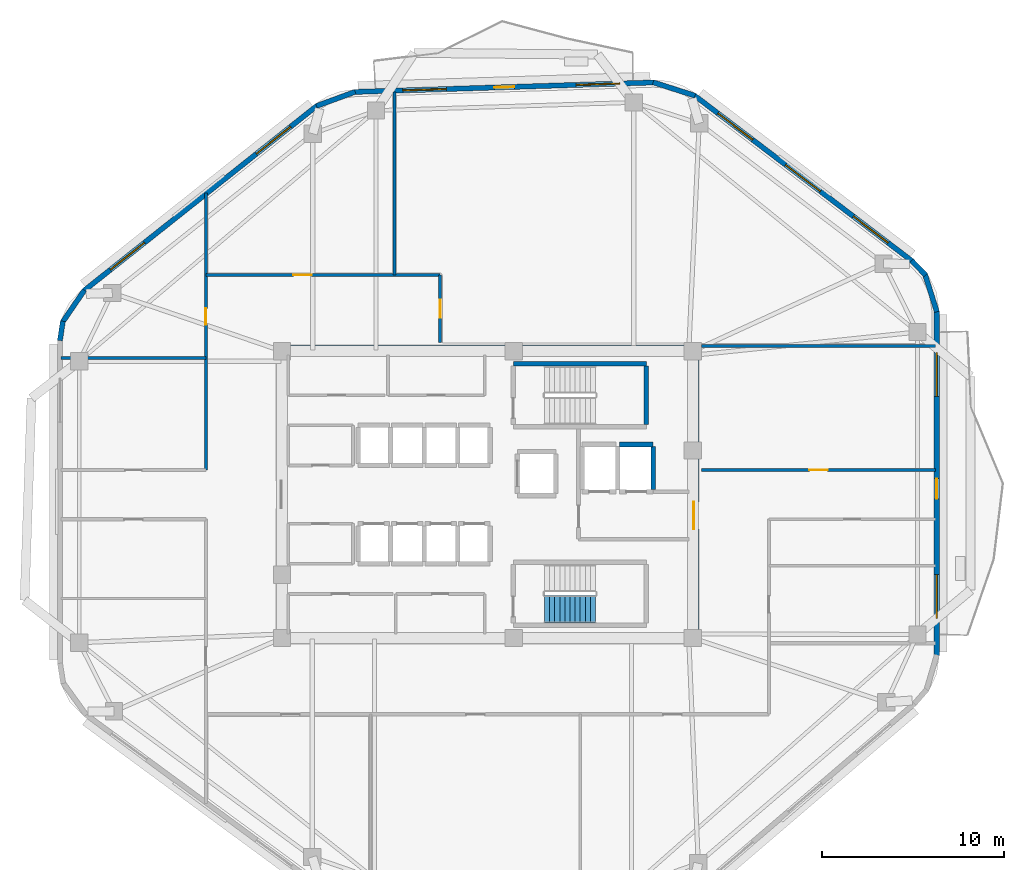
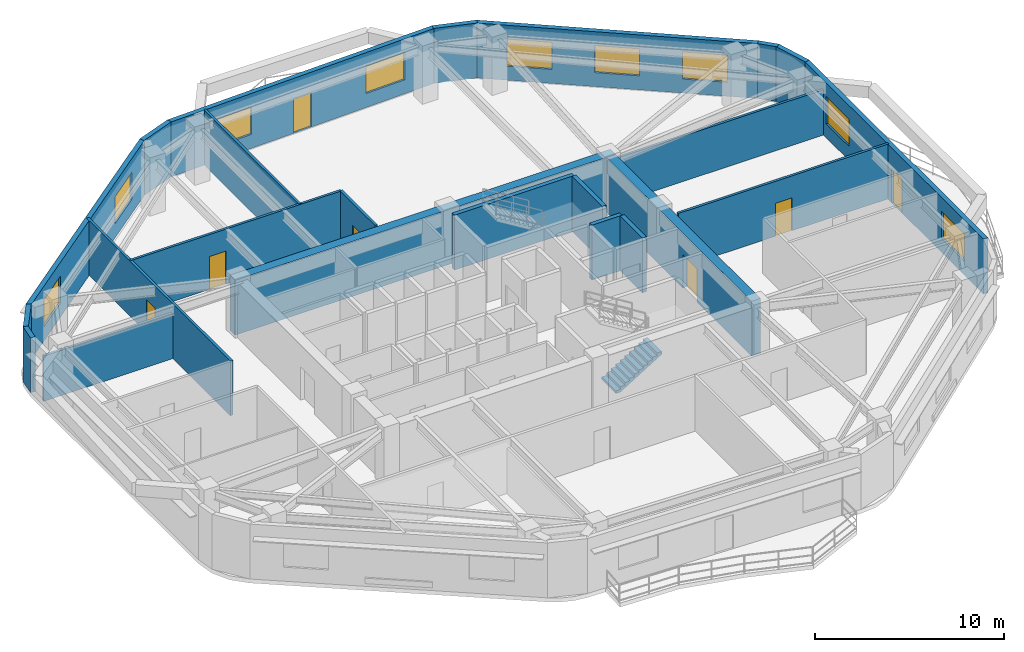
# One storey, part 5 of 8: 23 walls, 9 windows, 7 doors, 1 stair flight, 16 openings, 1 element without a shape of its own.
"""IFC4 building model written with IfcOpenShell, lengths in metres."""

from ifc_helpers import new_model, si_unit, direction, frame, frame_2d, origin, place, context, subcontext, project, spatial, polyline, rectangle, outline, extrude, material, layer, layer_set, type_object, element, fill, aggregate, save


model = new_model("IFC4")

# Units and contexts
model_context = context("Model", 3, precision=1e-05, world=origin(), true_north=direction((0.0, 1.0)))
body_context = subcontext(model_context, "Body", "Model", "MODEL_VIEW")
ifc_project = project(units=[si_unit("LENGTHUNIT", "METRE"), si_unit("AREAUNIT", "SQUARE_METRE"), si_unit("VOLUMEUNIT", "CUBIC_METRE"), si_unit("PLANEANGLEUNIT", "RADIAN"), si_unit("MASSUNIT", "GRAM", prefix="KILO")], contexts=[model_context])

# Site, building, storey
site_placement = place(None, origin())
site = spatial("IfcSite", under=ifc_project, at=site_placement, CompositionType="ELEMENT")
building_placement = place(site_placement, origin())
building = spatial("IfcBuilding", under=site, at=building_placement, Name="Zulverin Broadcast Headquarters", CompositionType="ELEMENT")
storey_placement = place(building_placement, frame((0.0, 0.0, 182.0)))
storey = spatial("IfcBuildingStorey", under=building, at=storey_placement, Name="L46", CompositionType="ELEMENT", Elevation=182.0)

# Wall
ifc_material_1 = material(Name="Concrete C60/75", Category="concrete")
ifc_layer_1 = layer(ifc_material_1, 0.550048828125, Name="Concrete C60/75", Category="concrete")
ifc_layer_set_1 = layer_set([ifc_layer_1], Name="Concrete C60/75")
wall_type_1 = type_object("IfcWallType", Name="WL-CORE-550", PredefinedType="SHEAR", material=ifc_layer_set_1)
wall_1_placement = place(storey_placement, frame((25.39990234375, 33.125, 0.0), z_axis=(0.0, 0.0, 1.0), x_axis=(1.0, 0.0, 0.0)))
element("IfcWall", 1, at=wall_1_placement, inside=storey, type_object=wall_type_1, Name="L46 Core North Shear Wall", PredefinedType="SHEAR", context=body_context, shape_type="SweptSolid", body=[
    extrude(rectangle(XDim=23.2001953125, YDim=0.550048828125, at=frame_2d((11.60009765625, 0.0))), origin(), (0.0, 0.0, 1.0), 3.5400390625),
])

# Wall, opening, door
wall_2_placement = place(storey_placement, frame((48.324951171875, 17.550048828125, 0.0), z_axis=(0.0, 0.0, 1.0), x_axis=(0.0, 1.0, 0.0)))
wall_2 = element("IfcWall", 2, at=wall_2_placement, inside=storey, type_object=wall_type_1, Name="L46 Core East Shear Wall", PredefinedType="SHEAR", context=body_context, shape_type="SweptSolid", body=[
    extrude(rectangle(XDim=15.300048828125, YDim=0.550048828125, at=frame_2d((7.64990234375, 0.0))), origin(), (0.0, 0.0, 1.0), 3.5400390625),
])
opening_1_placement = place(wall_2_placement, frame((5.75, 0.0, 0.0)))
opening_1 = element("IfcOpeningElement", 3, at=opening_1_placement, cuts=wall_2, Name="Opening D-L46-CE1", PredefinedType="OPENING", context=body_context, shape_type="SweptSolid", body=[
    extrude(rectangle(XDim=1.5, YDim=2.14990234375, at=frame_2d((0.75, 1.074951171875))), frame((0.0, 0.284912109375, 0.0), z_axis=(0.0, -1.0, 0.0), x_axis=(1.0, 0.0, 0.0)), (0.0, 0.0, 1.0), 0.570068359375),
])
ifc_material_2 = material(Name="Fire-rated glazed steel frame", Category="steel")
door_type_1 = type_object("IfcDoorType", Name="DR-COR-1500", OperationType="DOUBLE_DOOR_SINGLE_SWING", PredefinedType="DOOR", material=ifc_material_2)
door_1_placement = place(opening_1_placement, origin())
door_1 = element("IfcDoor", 4, at=door_1_placement, inside=storey, type_object=door_type_1, Name="L46 Firefighting Lobby East Corridor Door", OperationType="DOUBLE_DOOR_SINGLE_SWING", OverallHeight=2.14990234375, OverallWidth=1.5, PredefinedType="DOOR", context=body_context, shape_type="SweptSolid", body=[
    extrude(rectangle(XDim=1.5, YDim=2.14990234375, at=frame_2d((0.75, 1.074951171875))), frame((0.0, 0.02490234375, 0.0), z_axis=(0.0, -1.0, 0.0), x_axis=(1.0, 0.0, 0.0)), (0.0, 0.0, 1.0), 0.050048828125),
])
fill(opening_1, door_1)

# Wall, openings, door, windows
ifc_material_3 = material(Name="Insulated pale-metal clad concrete spandrel C40/50", Category="concrete")
ifc_layer_2 = layer(ifc_material_3, 0.280029296875, Name="Insulated pale-metal clad concrete spandrel C40/50", Category="concrete")
ifc_layer_set_2 = layer_set([ifc_layer_2], Name="Insulated pale-metal clad concrete spandrel C40/50")
wall_type_2 = type_object("IfcWallType", Name="WL-EXT-280", PredefinedType="STANDARD", material=ifc_layer_set_2)
wall_3_placement = place(storey_placement, frame((61.659912109375, 16.369384765625, 0.0), z_axis=(0.0, 0.0, 1.0), x_axis=(0.0, 1.0, 0.0)))
wall_3 = element("IfcWall", 5, at=wall_3_placement, inside=storey, type_object=wall_type_2, Name="L46 Pale-Metal Clad Spandrel Wall 3", PredefinedType="STANDARD", context=body_context, shape_type="SweptSolid", body=[
    extrude(rectangle(XDim=18.902099609375, YDim=0.280029296875, at=frame_2d((9.451171875, 0.0))), origin(), (0.0, 0.0, 1.0), 3.5400390625),
])
opening_2_placement = place(wall_3_placement, frame((8.60107421875, 0.0, 0.0)))
opening_2 = element("IfcOpeningElement", 6, at=opening_2_placement, cuts=wall_3, Name="Opening D-L46-TR3", PredefinedType="OPENING", context=body_context, shape_type="SweptSolid", body=[
    extrude(rectangle(XDim=1.10009765625, YDim=2.199951171875, at=frame_2d((0.550048828125, 1.10009765625))), frame((0.0, 0.14990234375, 0.0), z_axis=(0.0, -1.0, 0.0), x_axis=(1.0, 0.0, 0.0)), (0.0, 0.0, 1.0), 0.300048828125),
])
opening_3_placement = place(wall_3_placement, frame((2.03369140625, 0.0, 0.89990234375)))
opening_3 = element("IfcOpeningElement", 7, at=opening_3_placement, cuts=wall_3, Name="Opening W-L46-E31", PredefinedType="OPENING", context=body_context, shape_type="SweptSolid", body=[
    extrude(rectangle(XDim=2.39990234375, YDim=1.75, at=frame_2d((1.199951171875, 0.875))), frame((0.0, 0.14990234375, 0.0), z_axis=(0.0, -1.0, 0.0), x_axis=(1.0, 0.0, 0.0)), (0.0, 0.0, 1.0), 0.300048828125),
])
opening_4_placement = place(wall_3_placement, frame((14.218505859375, 0.0, 0.89990234375)))
opening_4 = element("IfcOpeningElement", 8, at=opening_4_placement, cuts=wall_3, Name="Opening W-L46-E32", PredefinedType="OPENING", context=body_context, shape_type="SweptSolid", body=[
    extrude(rectangle(XDim=2.39990234375, YDim=1.75, at=frame_2d((1.199951171875, 0.875))), frame((0.0, 0.14990234375, 0.0), z_axis=(0.0, -1.0, 0.0), x_axis=(1.0, 0.0, 0.0)), (0.0, 0.0, 1.0), 0.300048828125),
])
ifc_material_4 = material(Name="Thermally broken aluminium glazed", Category="aluminium")
door_type_2 = type_object("IfcDoorType", Name="DR-TERR-1100", OperationType="SINGLE_SWING_RIGHT", PredefinedType="DOOR", material=ifc_material_4)
door_2_placement = place(opening_2_placement, origin())
door_2 = element("IfcDoor", 9, at=door_2_placement, inside=storey, type_object=door_type_2, Name="L46 Planted Terrace Glazed Access Door 3", OperationType="SINGLE_SWING_RIGHT", OverallHeight=2.199951171875, OverallWidth=1.10009765625, PredefinedType="DOOR", context=body_context, shape_type="SweptSolid", body=[
    extrude(rectangle(XDim=1.10009765625, YDim=2.199951171875, at=frame_2d((0.550048828125, 1.10009765625))), frame((0.0, 0.02490234375, 0.0), z_axis=(0.0, -1.0, 0.0), x_axis=(1.0, 0.0, 0.0)), (0.0, 0.0, 1.0), 0.050048828125),
])
fill(opening_2, door_2)
ifc_material_5 = material(Name="Pale anodized aluminium frame with solar-control low-E double glazing", Category="aluminium")
window_type = type_object("IfcWindowType", Name="WIN-RIB-2400", PartitioningType="SINGLE_PANEL", PredefinedType="WINDOW", material=ifc_material_5)
window_1_placement = place(opening_3_placement, origin())
window_1 = element("IfcWindow", 10, at=window_1_placement, inside=storey, type_object=window_type, Name="L46 Ribbon Glazing Window 3 1", OverallHeight=1.75, OverallWidth=2.39990234375, PartitioningType="SINGLE_PANEL", PredefinedType="WINDOW", context=body_context, shape_type="SweptSolid", body=[
    extrude(rectangle(XDim=2.39990234375, YDim=1.75, at=frame_2d((1.199951171875, 0.875))), frame((0.0, 0.030029296875, 0.0), z_axis=(0.0, -1.0, 0.0), x_axis=(1.0, 0.0, 0.0)), (0.0, 0.0, 1.0), 0.06005859375),
])
fill(opening_3, window_1)
window_2_placement = place(opening_4_placement, origin())
window_2 = element("IfcWindow", 11, at=window_2_placement, inside=storey, type_object=window_type, Name="L46 Ribbon Glazing Window 3 2", OverallHeight=1.75, OverallWidth=2.39990234375, PartitioningType="SINGLE_PANEL", PredefinedType="WINDOW", context=body_context, shape_type="SweptSolid", body=[
    extrude(rectangle(XDim=2.39990234375, YDim=1.75, at=frame_2d((1.199951171875, 0.875))), frame((0.0, 0.030029296875, 0.0), z_axis=(0.0, -1.0, 0.0), x_axis=(1.0, 0.0, 0.0)), (0.0, 0.0, 1.0), 0.06005859375),
])
fill(opening_4, window_2)

# Wall, openings, windows
wall_4_placement = place(storey_placement, frame((60.294921875, 38.025146484375, 0.0), z_axis=(0.0, 0.0, 1.0), x_axis=(-0.795831760834, 0.605517801925, 0.0)))
wall_4 = element("IfcWall", 12, at=wall_4_placement, inside=storey, type_object=wall_type_2, Name="L46 Pale-Metal Clad Spandrel Wall 4", PredefinedType="STANDARD", context=body_context, shape_type="SweptSolid", body=[
    extrude(rectangle(XDim=15.01171875, YDim=0.280029296875, at=frame_2d((7.505859375, 0.0))), origin(), (0.0, 0.0, 1.0), 3.5400390625),
])
opening_5_placement = place(wall_4_placement, frame((1.63525390625, 0.0, 0.89990234375)))
opening_5 = element("IfcOpeningElement", 13, at=opening_5_placement, cuts=wall_4, Name="Opening W-L46-E41", PredefinedType="OPENING", context=body_context, shape_type="SweptSolid", body=[
    extrude(rectangle(XDim=2.39990234375, YDim=1.75, at=frame_2d((1.199951171875, 0.875))), frame((0.0, 0.14990234375, 0.0), z_axis=(0.0, -1.0, 0.0), x_axis=(1.0, 0.0, 0.0)), (0.0, 0.0, 1.0), 0.300048828125),
])
opening_6_placement = place(wall_4_placement, frame((6.305908203125, 0.0, 0.89990234375)))
opening_6 = element("IfcOpeningElement", 14, at=opening_6_placement, cuts=wall_4, Name="Opening W-L46-E42", PredefinedType="OPENING", context=body_context, shape_type="SweptSolid", body=[
    extrude(rectangle(XDim=2.39990234375, YDim=1.75, at=frame_2d((1.199951171875, 0.875))), frame((0.0, 0.14990234375, 0.0), z_axis=(0.0, -1.0, 0.0), x_axis=(1.0, 0.0, 0.0)), (0.0, 0.0, 1.0), 0.300048828125),
])
opening_7_placement = place(wall_4_placement, frame((10.9765625, 0.0, 0.89990234375)))
opening_7 = element("IfcOpeningElement", 15, at=opening_7_placement, cuts=wall_4, Name="Opening W-L46-E43", PredefinedType="OPENING", context=body_context, shape_type="SweptSolid", body=[
    extrude(rectangle(XDim=2.39990234375, YDim=1.75, at=frame_2d((1.199951171875, 0.875))), frame((0.0, 0.14990234375, 0.0), z_axis=(0.0, -1.0, 0.0), x_axis=(1.0, 0.0, 0.0)), (0.0, 0.0, 1.0), 0.300048828125),
])
window_3_placement = place(opening_5_placement, origin())
window_3 = element("IfcWindow", 16, at=window_3_placement, inside=storey, type_object=window_type, Name="L46 Ribbon Glazing Window 4 1", OverallHeight=1.75, OverallWidth=2.39990234375, PartitioningType="SINGLE_PANEL", PredefinedType="WINDOW", context=body_context, shape_type="SweptSolid", body=[
    extrude(rectangle(XDim=2.39990234375, YDim=1.75, at=frame_2d((1.199951171875, 0.875))), frame((0.0, 0.030029296875, 0.0), z_axis=(0.0, -1.0, 0.0), x_axis=(1.0, 0.0, 0.0)), (0.0, 0.0, 1.0), 0.06005859375),
])
fill(opening_5, window_3)
window_4_placement = place(opening_6_placement, origin())
window_4 = element("IfcWindow", 17, at=window_4_placement, inside=storey, type_object=window_type, Name="L46 Ribbon Glazing Window 4 2", OverallHeight=1.75, OverallWidth=2.39990234375, PartitioningType="SINGLE_PANEL", PredefinedType="WINDOW", context=body_context, shape_type="SweptSolid", body=[
    extrude(rectangle(XDim=2.39990234375, YDim=1.75, at=frame_2d((1.199951171875, 0.875))), frame((0.0, 0.030029296875, 0.0), z_axis=(0.0, -1.0, 0.0), x_axis=(1.0, 0.0, 0.0)), (0.0, 0.0, 1.0), 0.06005859375),
])
fill(opening_6, window_4)
window_5_placement = place(opening_7_placement, origin())
window_5 = element("IfcWindow", 18, at=window_5_placement, inside=storey, type_object=window_type, Name="L46 Ribbon Glazing Window 4 3", OverallHeight=1.75, OverallWidth=2.39990234375, PartitioningType="SINGLE_PANEL", PredefinedType="WINDOW", context=body_context, shape_type="SweptSolid", body=[
    extrude(rectangle(XDim=2.39990234375, YDim=1.75, at=frame_2d((1.199951171875, 0.875))), frame((0.0, 0.030029296875, 0.0), z_axis=(0.0, -1.0, 0.0), x_axis=(1.0, 0.0, 0.0)), (0.0, 0.0, 1.0), 0.06005859375),
])
fill(opening_7, window_5)

# Wall, openings, door, windows
wall_5_placement = place(storey_placement, frame((46.143310546875, 47.819580078125, 0.0), z_axis=(0.0, 0.0, 1.0), x_axis=(-0.999497065256, -0.031711457627, 0.0)))
wall_5 = element("IfcWall", 19, at=wall_5_placement, inside=storey, type_object=wall_type_2, Name="L46 Pale-Metal Clad Spandrel Wall 5", PredefinedType="STANDARD", context=body_context, shape_type="SweptSolid", body=[
    extrude(rectangle(XDim=16.452392578125, YDim=0.280029296875, at=frame_2d((8.22607421875, 0.0))), origin(), (0.0, 0.0, 1.0), 3.5400390625),
])
opening_8_placement = place(wall_5_placement, frame((7.67626953125, 0.0, 0.0)))
opening_8 = element("IfcOpeningElement", 20, at=opening_8_placement, cuts=wall_5, Name="Opening D-L46-TR5", PredefinedType="OPENING", context=body_context, shape_type="SweptSolid", body=[
    extrude(rectangle(XDim=1.10009765625, YDim=2.199951171875, at=frame_2d((0.550048828125, 1.10009765625))), frame((0.0, 0.14990234375, 0.0), z_axis=(0.0, -1.0, 0.0), x_axis=(1.0, 0.0, 0.0)), (0.0, 0.0, 1.0), 0.300048828125),
])
opening_9_placement = place(wall_5_placement, frame((1.87548828125, 0.0, 0.89990234375)))
opening_9 = element("IfcOpeningElement", 21, at=opening_9_placement, cuts=wall_5, Name="Opening W-L46-E51", PredefinedType="OPENING", context=body_context, shape_type="SweptSolid", body=[
    extrude(rectangle(XDim=2.39990234375, YDim=1.75, at=frame_2d((1.199951171875, 0.875))), frame((0.0, 0.14990234375, 0.0), z_axis=(0.0, -1.0, 0.0), x_axis=(1.0, 0.0, 0.0)), (0.0, 0.0, 1.0), 0.300048828125),
])
opening_10_placement = place(wall_5_placement, frame((11.397216796875, 0.0, 0.89990234375)))
opening_10 = element("IfcOpeningElement", 22, at=opening_10_placement, cuts=wall_5, Name="Opening W-L46-E52", PredefinedType="OPENING", context=body_context, shape_type="SweptSolid", body=[
    extrude(rectangle(XDim=2.39990234375, YDim=1.75, at=frame_2d((1.199951171875, 0.875))), frame((0.0, 0.14990234375, 0.0), z_axis=(0.0, -1.0, 0.0), x_axis=(1.0, 0.0, 0.0)), (0.0, 0.0, 1.0), 0.300048828125),
])
door_3_placement = place(opening_8_placement, origin())
door_3 = element("IfcDoor", 23, at=door_3_placement, inside=storey, type_object=door_type_2, Name="L46 Planted Terrace Glazed Access Door 5", OperationType="SINGLE_SWING_RIGHT", OverallHeight=2.199951171875, OverallWidth=1.10009765625, PredefinedType="DOOR", context=body_context, shape_type="SweptSolid", body=[
    extrude(rectangle(XDim=1.10009765625, YDim=2.199951171875, at=frame_2d((0.550048828125, 1.10009765625))), frame((0.0, 0.02490234375, 0.0), z_axis=(0.0, -1.0, 0.0), x_axis=(1.0, 0.0, 0.0)), (0.0, 0.0, 1.0), 0.050048828125),
])
fill(opening_8, door_3)
window_6_placement = place(opening_9_placement, origin())
window_6 = element("IfcWindow", 24, at=window_6_placement, inside=storey, type_object=window_type, Name="L46 Ribbon Glazing Window 5 1", OverallHeight=1.75, OverallWidth=2.39990234375, PartitioningType="SINGLE_PANEL", PredefinedType="WINDOW", context=body_context, shape_type="SweptSolid", body=[
    extrude(rectangle(XDim=2.39990234375, YDim=1.75, at=frame_2d((1.199951171875, 0.875))), frame((0.0, 0.030029296875, 0.0), z_axis=(0.0, -1.0, 0.0), x_axis=(1.0, 0.0, 0.0)), (0.0, 0.0, 1.0), 0.06005859375),
])
fill(opening_9, window_6)
window_7_placement = place(opening_10_placement, origin())
window_7 = element("IfcWindow", 25, at=window_7_placement, inside=storey, type_object=window_type, Name="L46 Ribbon Glazing Window 5 2", OverallHeight=1.75, OverallWidth=2.39990234375, PartitioningType="SINGLE_PANEL", PredefinedType="WINDOW", context=body_context, shape_type="SweptSolid", body=[
    extrude(rectangle(XDim=2.39990234375, YDim=1.75, at=frame_2d((1.199951171875, 0.875))), frame((0.0, 0.030029296875, 0.0), z_axis=(0.0, -1.0, 0.0), x_axis=(1.0, 0.0, 0.0)), (0.0, 0.0, 1.0), 0.06005859375),
])
fill(opening_10, window_7)

# Wall, openings, windows
wall_6_placement = place(storey_placement, frame((27.657958984375, 46.5498046875, 0.0), z_axis=(0.0, 0.0, 1.0), x_axis=(-0.783266285861, -0.621686356158, 0.0)))
wall_6 = element("IfcWall", 26, at=wall_6_placement, inside=storey, type_object=wall_type_2, Name="L46 Pale-Metal Clad Spandrel Wall 6", PredefinedType="STANDARD", context=body_context, shape_type="SweptSolid", body=[
    extrude(rectangle(XDim=16.35302734375, YDim=0.280029296875, at=frame_2d((8.176513671875, 0.0))), origin(), (0.0, 0.0, 1.0), 3.5400390625),
])
opening_11_placement = place(wall_6_placement, frame((1.85888671875, 0.0, 0.89990234375)))
opening_11 = element("IfcOpeningElement", 27, at=opening_11_placement, cuts=wall_6, Name="Opening W-L46-E61", PredefinedType="OPENING", context=body_context, shape_type="SweptSolid", body=[
    extrude(rectangle(XDim=2.39990234375, YDim=1.75, at=frame_2d((1.199951171875, 0.875))), frame((0.0, 0.14990234375, 0.0), z_axis=(0.0, -1.0, 0.0), x_axis=(1.0, 0.0, 0.0)), (0.0, 0.0, 1.0), 0.300048828125),
])
opening_12_placement = place(wall_6_placement, frame((12.09423828125, 0.0, 0.89990234375)))
opening_12 = element("IfcOpeningElement", 28, at=opening_12_placement, cuts=wall_6, Name="Opening W-L46-E62", PredefinedType="OPENING", context=body_context, shape_type="SweptSolid", body=[
    extrude(rectangle(XDim=2.39990234375, YDim=1.75, at=frame_2d((1.199951171875, 0.875))), frame((0.0, 0.14990234375, 0.0), z_axis=(0.0, -1.0, 0.0), x_axis=(1.0, 0.0, 0.0)), (0.0, 0.0, 1.0), 0.300048828125),
])
window_8_placement = place(opening_11_placement, origin())
window_8 = element("IfcWindow", 29, at=window_8_placement, inside=storey, type_object=window_type, Name="L46 Ribbon Glazing Window 6 1", OverallHeight=1.75, OverallWidth=2.39990234375, PartitioningType="SINGLE_PANEL", PredefinedType="WINDOW", context=body_context, shape_type="SweptSolid", body=[
    extrude(rectangle(XDim=2.39990234375, YDim=1.75, at=frame_2d((1.199951171875, 0.875))), frame((0.0, 0.030029296875, 0.0), z_axis=(0.0, -1.0, 0.0), x_axis=(1.0, 0.0, 0.0)), (0.0, 0.0, 1.0), 0.06005859375),
])
fill(opening_11, window_8)
window_9_placement = place(opening_12_placement, origin())
window_9 = element("IfcWindow", 30, at=window_9_placement, inside=storey, type_object=window_type, Name="L46 Ribbon Glazing Window 6 2", OverallHeight=1.75, OverallWidth=2.39990234375, PartitioningType="SINGLE_PANEL", PredefinedType="WINDOW", context=body_context, shape_type="SweptSolid", body=[
    extrude(rectangle(XDim=2.39990234375, YDim=1.75, at=frame_2d((1.199951171875, 0.875))), frame((0.0, 0.030029296875, 0.0), z_axis=(0.0, -1.0, 0.0), x_axis=(1.0, 0.0, 0.0)), (0.0, 0.0, 1.0), 0.06005859375),
])
fill(opening_12, window_9)

# Walls
wall_7_placement = place(storey_placement, frame((61.66650390625, 35.229248046875, 0.0), z_axis=(0.0, 0.0, 1.0), x_axis=(-0.302044777107, 0.953293738898, 0.0)))
element("IfcWall", 31, at=wall_7_placement, inside=storey, type_object=wall_type_2, Name="L46 Wind-Shaped Corner Spandrel Wall 3-1", PredefinedType="STANDARD", context=body_context, shape_type="SweptSolid", body=[
    extrude(rectangle(XDim=2.17431640625, YDim=0.280029296875, at=frame_2d((1.087158203125, 0.0))), origin(), (0.0, 0.0, 1.0), 3.5400390625),
])
wall_8_placement = place(storey_placement, frame((61.04248046875, 37.247314453125, 0.0), z_axis=(0.0, 0.0, 1.0), x_axis=(-0.694004126367, 0.719971022045, 0.0)))
element("IfcWall", 32, at=wall_8_placement, inside=storey, type_object=wall_type_2, Name="L46 Wind-Shaped Corner Spandrel Wall 3-2", PredefinedType="STANDARD", context=body_context, shape_type="SweptSolid", body=[
    extrude(rectangle(XDim=1.10009765625, YDim=0.280029296875, at=frame_2d((0.550048828125, 0.0))), origin(), (0.0, 0.0, 1.0), 3.5400390625),
])
wall_9_placement = place(storey_placement, frame((48.390380859375, 47.093017578125, 0.0), z_axis=(0.0, 0.0, 1.0), x_axis=(-0.952542948918, 0.304404222156, 0.0)))
element("IfcWall", 33, at=wall_9_placement, inside=storey, type_object=wall_type_2, Name="L46 Wind-Shaped Corner Spandrel Wall 4-1", PredefinedType="STANDARD", context=body_context, shape_type="SweptSolid", body=[
    extrude(rectangle(XDim=2.408447265625, YDim=0.280029296875, at=frame_2d((1.2041015625, 0.0))), origin(), (0.0, 0.0, 1.0), 3.5400390625),
])
wall_10_placement = place(storey_placement, frame((29.742919921875, 47.306396484375, 0.0), z_axis=(0.0, 0.0, 1.0), x_axis=(-0.93893328381, -0.344099242302, 0.0)))
element("IfcWall", 34, at=wall_10_placement, inside=storey, type_object=wall_type_2, Name="L46 Wind-Shaped Corner Spandrel Wall 5-1", PredefinedType="STANDARD", context=body_context, shape_type="SweptSolid", body=[
    extrude(rectangle(XDim=2.261962890625, YDim=0.280029296875, at=frame_2d((1.130859375, 0.0))), origin(), (0.0, 0.0, 1.0), 3.5400390625),
])
wall_11_placement = place(storey_placement, frame((14.877685546875, 36.4140625, 0.0), z_axis=(0.0, 0.0, 1.0), x_axis=(-0.564564614133, -0.825388875906, 0.0)))
element("IfcWall", 35, at=wall_11_placement, inside=storey, type_object=wall_type_2, Name="L46 Wind-Shaped Corner Spandrel Wall 6-1", PredefinedType="STANDARD", context=body_context, shape_type="SweptSolid", body=[
    extrude(rectangle(XDim=2.127685546875, YDim=0.280029296875, at=frame_2d((1.06396484375, 0.0))), origin(), (0.0, 0.0, 1.0), 3.5400390625),
])
wall_12_placement = place(storey_placement, frame((13.69921875, 34.716064453125, 0.0), z_axis=(0.0, 0.0, 1.0), x_axis=(-0.149549920187, -0.988754176412, 0.0)))
element("IfcWall", 36, at=wall_12_placement, inside=storey, type_object=wall_type_2, Name="L46 Wind-Shaped Corner Spandrel Wall 6-2", PredefinedType="STANDARD", context=body_context, shape_type="SweptSolid", body=[
    extrude(rectangle(XDim=1.075927734375, YDim=0.280029296875, at=frame_2d((0.5380859375, 0.0))), origin(), (0.0, 0.0, 1.0), 3.5400390625),
])

# Wall, opening, door
ifc_material_6 = material(Name="Fire-rated gypsum stud partition", Category="gypsum")
ifc_layer_3 = layer(ifc_material_6, 0.14990234375, Name="Fire-rated gypsum stud partition", Category="gypsum")
ifc_layer_set_3 = layer_set([ifc_layer_3], Name="Fire-rated gypsum stud partition")
wall_type_3 = type_object("IfcWallType", Name="WL-PART-150", PredefinedType="PARTITIONING", material=ifc_layer_set_3)
wall_13_placement = place(storey_placement, frame((34.39990234375, 33.5400390625, 0.0), z_axis=(0.0, 0.0, 1.0), x_axis=(0.0, 1.0, 0.0)))
wall_13 = element("IfcWall", 37, at=wall_13_placement, inside=storey, type_object=wall_type_3, Name="L46 Gallery Partition Wall CG-03", PredefinedType="PARTITIONING", context=body_context, shape_type="SweptSolid", body=[
    extrude(rectangle(XDim=3.7099609375, YDim=0.14990234375, at=frame_2d((1.85498046875, 0.0))), origin(), (0.0, 0.0, 1.0), 3.5400390625),
])
opening_13_placement = place(wall_13_placement, frame((1.35498046875, 0.0, 0.0)))
opening_13 = element("IfcOpeningElement", 38, at=opening_13_placement, cuts=wall_13, Name="Opening D-L46-02", PredefinedType="OPENING", context=body_context, shape_type="SweptSolid", body=[
    extrude(rectangle(XDim=1.0, YDim=2.1201171875, at=frame_2d((0.5, 1.06005859375))), frame((0.0, 0.0849609375, 0.0), z_axis=(0.0, -1.0, 0.0), x_axis=(1.0, 0.0, 0.0)), (0.0, 0.0, 1.0), 0.169921875),
])
ifc_material_7 = material(Name="Hardwood veneer acoustic leaf", Category="wood")
door_type_3 = type_object("IfcDoorType", Name="DR-OFF-1000", OperationType="SINGLE_SWING_LEFT", PredefinedType="DOOR", material=ifc_material_7)
door_4_placement = place(opening_13_placement, origin())
door_4 = element("IfcDoor", 39, at=door_4_placement, inside=storey, type_object=door_type_3, Name="L46 News Wire Office Door", OperationType="SINGLE_SWING_RIGHT", OverallHeight=2.1201171875, OverallWidth=1.0, PredefinedType="DOOR", context=body_context, shape_type="SweptSolid", body=[
    extrude(rectangle(XDim=1.0, YDim=2.1201171875, at=frame_2d((0.5, 1.06005859375))), frame((0.0, 0.02490234375, 0.0), z_axis=(0.0, -1.0, 0.0), x_axis=(1.0, 0.0, 0.0)), (0.0, 0.0, 1.0), 0.050048828125),
])
fill(opening_13, door_4)

# Wall
wall_14_placement = place(storey_placement, frame((31.89990234375, 37.25, 0.0), z_axis=(0.0, 0.0, 1.0), x_axis=(0.0, 1.0, 0.0)))
element("IfcWall", 40, at=wall_14_placement, inside=storey, type_object=wall_type_3, Name="L46 Room Partition Wall RP-04", PredefinedType="PARTITIONING", context=body_context, shape_type="SweptSolid", body=[
    extrude(rectangle(XDim=10.052734375, YDim=0.14990234375, at=frame_2d((5.0263671875, 0.0))), origin(), (0.0, 0.0, 1.0), 3.5400390625),
])

# Wall, opening, door
wall_15_placement = place(storey_placement, frame((21.550048828125, 26.550048828125, 0.0), z_axis=(0.0, 0.0, 1.0), x_axis=(0.0, 1.0, 0.0)))
wall_15 = element("IfcWall", 41, at=wall_15_placement, inside=storey, type_object=wall_type_3, Name="L46 Gallery Partition Wall CG-07", PredefinedType="PARTITIONING", context=body_context, shape_type="SweptSolid", body=[
    extrude(rectangle(XDim=15.1904296875, YDim=0.14990234375, at=frame_2d((7.59521484375, 0.0))), origin(), (0.0, 0.0, 1.0), 3.5400390625),
])
opening_14_placement = place(wall_15_placement, frame((7.97509765625, 0.0, 0.0)))
opening_14 = element("IfcOpeningElement", 42, at=opening_14_placement, cuts=wall_15, Name="Opening D-L46-09", PredefinedType="OPENING", context=body_context, shape_type="SweptSolid", body=[
    extrude(rectangle(XDim=0.89990234375, YDim=2.10009765625, at=frame_2d((0.449951171875, 1.050048828125))), frame((0.0, 0.0849609375, 0.0), z_axis=(0.0, -1.0, 0.0), x_axis=(1.0, 0.0, 0.0)), (0.0, 0.0, 1.0), 0.169921875),
])
ifc_material_8 = material(Name="Fire-rated hardwood veneer timber leaf", Category="wood")
door_type_4 = type_object("IfcDoorType", Name="DR-ROOM-900", OperationType="SINGLE_SWING_RIGHT", PredefinedType="DOOR", material=ifc_material_8)
door_5_placement = place(opening_14_placement, origin())
door_5 = element("IfcDoor", 43, at=door_5_placement, inside=storey, type_object=door_type_4, Name="L46 Editorial Coaching Suite Door", OperationType="SINGLE_SWING_LEFT", OverallHeight=2.10009765625, OverallWidth=0.89990234375, PredefinedType="DOOR", context=body_context, shape_type="SweptSolid", body=[
    extrude(rectangle(XDim=0.89990234375, YDim=2.10009765625, at=frame_2d((0.449951171875, 1.050048828125))), frame((0.0, 0.02490234375, 0.0), z_axis=(0.0, -1.0, 0.0), x_axis=(1.0, 0.0, 0.0)), (0.0, 0.0, 1.0), 0.050048828125),
])
fill(opening_14, door_5)

wall_16_placement = place(storey_placement, frame((48.739990234375, 26.550048828125, 0.0), z_axis=(0.0, 0.0, 1.0), x_axis=(1.0, 0.0, 0.0)))
wall_16 = element("IfcWall", 44, at=wall_16_placement, inside=storey, type_object=wall_type_3, Name="L46 Gallery Partition Wall CG-15", PredefinedType="PARTITIONING", context=body_context, shape_type="SweptSolid", body=[
    extrude(rectangle(XDim=12.85498046875, YDim=0.14990234375, at=frame_2d((6.427490234375, 0.0))), origin(), (0.0, 0.0, 1.0), 3.5400390625),
])
opening_15_placement = place(wall_16_placement, frame((5.927490234375, 0.0, 0.0)))
opening_15 = element("IfcOpeningElement", 45, at=opening_15_placement, cuts=wall_16, Name="Opening D-L46-12", PredefinedType="OPENING", context=body_context, shape_type="SweptSolid", body=[
    extrude(rectangle(XDim=1.0, YDim=2.1201171875, at=frame_2d((0.5, 1.06005859375))), frame((0.0, 0.0849609375, 0.0), z_axis=(0.0, -1.0, 0.0), x_axis=(1.0, 0.0, 0.0)), (0.0, 0.0, 1.0), 0.169921875),
])
door_6_placement = place(opening_15_placement, origin())
door_6 = element("IfcDoor", 46, at=door_6_placement, inside=storey, type_object=door_type_3, Name="L46 Regional Languages Office Door", OperationType="SINGLE_SWING_RIGHT", OverallHeight=2.1201171875, OverallWidth=1.0, PredefinedType="DOOR", context=body_context, shape_type="SweptSolid", body=[
    extrude(rectangle(XDim=1.0, YDim=2.1201171875, at=frame_2d((0.5, 1.06005859375))), frame((0.0, 0.02490234375, 0.0), z_axis=(0.0, -1.0, 0.0), x_axis=(1.0, 0.0, 0.0)), (0.0, 0.0, 1.0), 0.050048828125),
])
fill(opening_15, door_6)

# Walls
wall_17_placement = place(storey_placement, frame((13.60498046875, 32.699951171875, 0.0), z_axis=(0.0, 0.0, 1.0), x_axis=(1.0, 0.0, 0.0)))
element("IfcWall", 47, at=wall_17_placement, inside=storey, type_object=wall_type_3, Name="L46 Room Partition Wall RP-16", PredefinedType="PARTITIONING", context=body_context, shape_type="SweptSolid", body=[
    extrude(rectangle(XDim=7.945068359375, YDim=0.14990234375, at=frame_2d((3.97265625, 0.0))), origin(), (0.0, 0.0, 1.0), 2.9228515625),
])
wall_18_placement = place(storey_placement, frame((48.739990234375, 33.35009765625, 0.0), z_axis=(0.0, 0.0, 1.0), x_axis=(1.0, 0.0, 0.0)))
element("IfcWall", 48, at=wall_18_placement, inside=storey, type_object=wall_type_3, Name="L46 Room Partition Wall RP-17", PredefinedType="PARTITIONING", context=body_context, shape_type="SweptSolid", body=[
    extrude(rectangle(XDim=12.85498046875, YDim=0.14990234375, at=frame_2d((6.427490234375, 0.0))), origin(), (0.0, 0.0, 1.0), 2.9228515625),
])

# Wall, opening, door
wall_19_placement = place(storey_placement, frame((21.550048828125, 37.25, 0.0), z_axis=(0.0, 0.0, 1.0), x_axis=(1.0, 0.0, 0.0)))
wall_19 = element("IfcWall", 49, at=wall_19_placement, inside=storey, type_object=wall_type_3, Name="L46 Gallery Partition Wall CG-18", PredefinedType="PARTITIONING", context=body_context, shape_type="SweptSolid", body=[
    extrude(rectangle(XDim=12.849853515625, YDim=0.14990234375, at=frame_2d((6.4248046875, 0.0))), origin(), (0.0, 0.0, 1.0), 3.5400390625),
])
opening_16_placement = place(wall_19_placement, frame((4.794921875, 0.0, 0.0)))
opening_16 = element("IfcOpeningElement", 50, at=opening_16_placement, cuts=wall_19, Name="Opening D-L46-01", PredefinedType="OPENING", context=body_context, shape_type="SweptSolid", body=[
    extrude(rectangle(XDim=1.0, YDim=2.1201171875, at=frame_2d((0.5, 1.06005859375))), frame((0.0, 0.0849609375, 0.0), z_axis=(0.0, -1.0, 0.0), x_axis=(1.0, 0.0, 0.0)), (0.0, 0.0, 1.0), 0.169921875),
])
door_7_placement = place(opening_16_placement, origin())
door_7 = element("IfcDoor", 51, at=door_7_placement, inside=storey, type_object=door_type_3, Name="L46 Regional Languages Office Door", OperationType="SINGLE_SWING_LEFT", OverallHeight=2.1201171875, OverallWidth=1.0, PredefinedType="DOOR", context=body_context, shape_type="SweptSolid", body=[
    extrude(rectangle(XDim=1.0, YDim=2.1201171875, at=frame_2d((0.5, 1.06005859375))), frame((0.0, 0.02490234375, 0.0), z_axis=(0.0, -1.0, 0.0), x_axis=(1.0, 0.0, 0.0)), (0.0, 0.0, 1.0), 0.050048828125),
])
fill(opening_16, door_7)

# Walls
ifc_material_9 = material(Name="Concrete C50/60", Category="concrete")
ifc_layer_4 = layer(ifc_material_9, 0.25, Name="Concrete C50/60", Category="concrete")
ifc_layer_set_4 = layer_set([ifc_layer_4], Name="Concrete C50/60")
wall_type_4 = type_object("IfcWallType", Name="WL-SHAFT-250", PredefinedType="SHEAR", material=ifc_layer_set_4)
wall_20_placement = place(storey_placement, frame((38.425048828125, 32.375, 0.0), z_axis=(0.0, 0.0, 1.0), x_axis=(1.0, 0.0, 0.0)))
element("IfcWall", 52, at=wall_20_placement, inside=storey, type_object=wall_type_4, Name="L46 ST-1 Enclosure Wall N", PredefinedType="SHEAR", context=body_context, shape_type="SweptSolid", body=[
    extrude(rectangle(XDim=7.300048828125, YDim=0.25, at=frame_2d((3.64990234375, 0.0))), origin(), (0.0, 0.0, 1.0), 3.5400390625),
])
wall_21_placement = place(storey_placement, frame((45.72509765625, 29.050048828125, 0.0), z_axis=(0.0, 0.0, 1.0), x_axis=(0.0, 1.0, 0.0)))
element("IfcWall", 53, at=wall_21_placement, inside=storey, type_object=wall_type_4, Name="L46 ST-1 Enclosure Wall E", PredefinedType="SHEAR", context=body_context, shape_type="SweptSolid", body=[
    extrude(rectangle(XDim=3.199951171875, YDim=0.25, at=frame_2d((1.60009765625, 0.0))), origin(), (0.0, 0.0, 1.0), 3.5400390625),
])
wall_22_placement = place(storey_placement, frame((44.25, 27.949951171875, 0.0), z_axis=(0.0, 0.0, 1.0), x_axis=(1.0, 0.0, 0.0)))
element("IfcWall", 54, at=wall_22_placement, inside=storey, type_object=wall_type_4, Name="L46 Lift FFL-2 Shaft Wall N", PredefinedType="SHEAR", context=body_context, shape_type="SweptSolid", body=[
    extrude(rectangle(XDim=1.85009765625, YDim=0.25, at=frame_2d((0.925048828125, 0.0))), origin(), (0.0, 0.0, 1.0), 3.5400390625),
])
wall_23_placement = place(storey_placement, frame((46.10009765625, 25.469970703125, 0.0), z_axis=(0.0, 0.0, 1.0), x_axis=(0.0, 1.0, 0.0)))
element("IfcWall", 55, at=wall_23_placement, inside=storey, type_object=wall_type_4, Name="L46 Lift FFL-2 Shaft Wall E", PredefinedType="SHEAR", context=body_context, shape_type="SweptSolid", body=[
    extrude(rectangle(XDim=2.360107421875, YDim=0.25, at=frame_2d((1.18017578125, 0.0))), origin(), (0.0, 0.0, 1.0), 3.5400390625),
])

# Stair, stair flight
ifc_material_10 = material(Name="Concrete C40/50", Category="concrete")
stair_type = type_object("IfcStairType", Name="ST-CORE-1500", PredefinedType="HALF_TURN_STAIR", material=ifc_material_10)
stair_placement = place(storey_placement, origin())
stair = element("IfcStair", 56, at=stair_placement, inside=storey, type_object=stair_type, Name="L46 Core Exit Stair ST-2", PredefinedType="HALF_TURN_STAIR")
stair_flight_type = type_object("IfcStairFlightType", Name="SF-CORE-1500", PredefinedType="STRAIGHT", material=ifc_material_10)
stair_flight_placement = place(storey_placement, frame((40.1298828125, 18.89990234375, 0.0), z_axis=(0.0, 0.0, 1.0), x_axis=(1.0, 0.0, 0.0)))
stair_flight = element("IfcStairFlight", 57, at=stair_flight_placement, type_object=stair_flight_type, Name="ST-2 flight 1", NumberOfRisers=11, NumberOfTreads=10, PredefinedType="STRAIGHT", RiserHeight=0.172727273, TreadLength=0.28, context=body_context, shape_type="SweptSolid", body=[
    extrude(outline(polyline([(0.0, 0.0), (0.0, 0.172607421875), (0.280029296875, 0.172607421875), (0.280029296875, 0.345458984375), (0.56005859375, 0.345458984375), (0.56005859375, 0.51806640625), (0.840087890625, 0.51806640625), (0.840087890625, 0.69091796875), (1.1201171875, 0.69091796875), (1.1201171875, 0.863525390625), (1.39990234375, 0.863525390625), (1.39990234375, 1.036376953125), (1.679931640625, 1.036376953125), (1.679931640625, 1.208984375), (1.9599609375, 1.208984375), (1.9599609375, 1.3818359375), (2.239990234375, 1.3818359375), (2.239990234375, 1.554443359375), (2.52001953125, 1.554443359375), (2.52001953125, 1.727294921875), (2.800048828125, 1.727294921875), (2.800048828125, 1.89990234375), (2.800048828125, 1.551025390625), (0.285400390625, 0.0), (0.0, 0.0)])), frame((0.0, 0.75, 0.0), z_axis=(0.0, -1.0, 0.0), x_axis=(1.0, 0.0, 0.0)), (0.0, 0.0, 1.0), 1.5),
])
aggregate(stair, [stair_flight])

save(model, "model.ifc")
